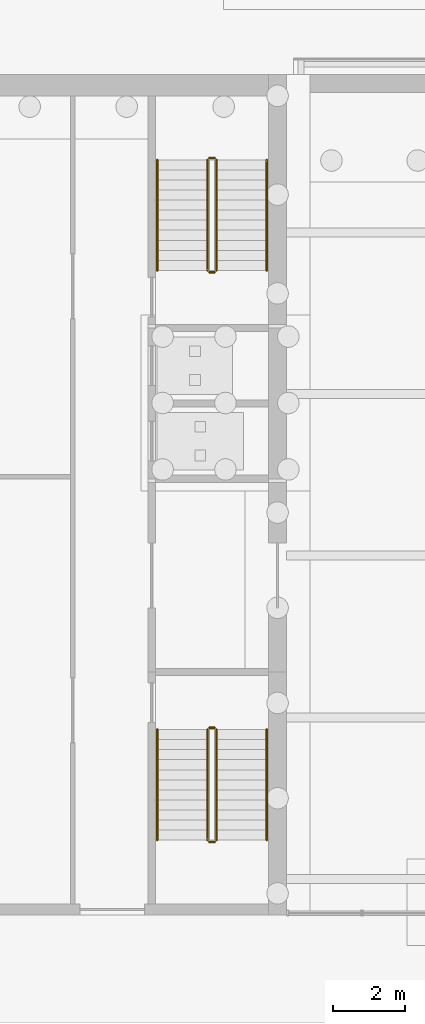
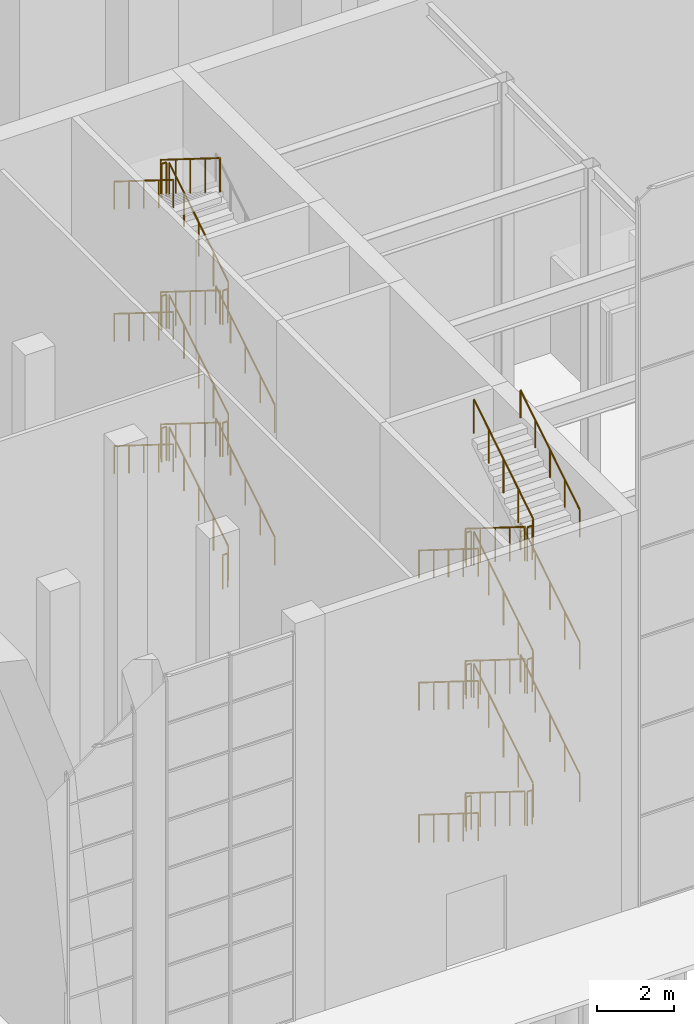
# One storey, part 52 of 58: 35 railings.
"""IFC4 building model written with IfcOpenShell, lengths in metres."""

from ifc_helpers import new_model, si_unit, direction, frame, origin, origin_2d, place, context, subcontext, project, spatial, circle, extrude, material, type_object, element, save


model = new_model("IFC4")

# Units and contexts
model_context = context("Model", 3, precision=1e-05, world=origin(), true_north=direction((0.0, 1.0)))
body_context = subcontext(model_context, "Body", "Model", "MODEL_VIEW")
ifc_project = project(units=[si_unit("LENGTHUNIT", "METRE"), si_unit("AREAUNIT", "SQUARE_METRE"), si_unit("VOLUMEUNIT", "CUBIC_METRE"), si_unit("PLANEANGLEUNIT", "RADIAN"), si_unit("MASSUNIT", "GRAM", prefix="KILO")], contexts=[model_context])

# Site, building, storey
site_placement = place(None, origin())
site = spatial("IfcSite", under=ifc_project, at=site_placement, CompositionType="ELEMENT")
building_placement = place(site_placement, origin())
building = spatial("IfcBuilding", under=site, at=building_placement, Name="Baori Bourse Tower", CompositionType="ELEMENT")
storey_placement = place(building_placement, origin())
storey = spatial("IfcBuildingStorey", under=building, at=storey_placement, Name="L00", CompositionType="ELEMENT", Elevation=0.0)

# Railings
ifc_material_1 = material(Name="Stainless steel AISI 316", Category="steel")
railing_type_1 = type_object("IfcRailingType", Name="Wing guard 1100", PredefinedType="GUARDRAIL", material=ifc_material_1)
railing_1_placement = place(storey_placement, frame((-1.699951171875, -7.260009765625, 0.175048828125)))
element("IfcRailing", 1, at=railing_1_placement, inside=storey, type_object=railing_type_1, Name="L00 W-STA stair guard 1", PredefinedType="GUARDRAIL", context=body_context, shape_type="SweptSolid", body=[
    extrude(circle(Radius=0.02392578125, at=origin_2d()), frame((0.0, 0.0, 1.076171875), z_axis=(0.0, 0.847998304005, 0.529998940003), x_axis=(-1.0, 0.0, 0.0)), (0.0, 0.0, 1.0), 3.632080078125),
    extrude(circle(Radius=0.02099609375, at=origin_2d()), origin(), (0.0, 0.0, 1.0), 1.052001953125),
    extrude(circle(Radius=0.02099609375, at=origin_2d()), frame((0.0, 0.77001953125, 0.481201171875)), (0.0, 0.0, 1.0), 1.052001953125),
    extrude(circle(Radius=0.02099609375, at=origin_2d()), frame((0.0, 1.5400390625, 0.96240234375)), (0.0, 0.0, 1.0), 1.052001953125),
    extrude(circle(Radius=0.02099609375, at=origin_2d()), frame((0.0, 2.31005859375, 1.44384765625)), (0.0, 0.0, 1.0), 1.052001953125),
    extrude(circle(Radius=0.02099609375, at=origin_2d()), frame((0.0, 3.080078125, 1.925048828125)), (0.0, 0.0, 1.0), 1.052001953125),
])
railing_2_placement = place(storey_placement, frame((-1.75, -4.1298828125, 2.10009765625)))
element("IfcRailing", 2, at=railing_2_placement, inside=storey, type_object=railing_type_1, Name="L00 W-STA stair guard 2", PredefinedType="GUARDRAIL", context=body_context, shape_type="SweptSolid", body=[
    extrude(circle(Radius=0.02392578125, at=origin_2d()), frame((0.0, 0.0, 1.076171875), z_axis=(-1.0, 0.0, 0.0), x_axis=(0.0, -1.0, 0.0)), (0.0, 0.0, 1.0), 0.14990234375),
    extrude(circle(Radius=0.02099609375, at=origin_2d()), origin(), (0.0, 0.0, 1.0), 1.052001953125),
    extrude(circle(Radius=0.02099609375, at=origin_2d()), frame((-0.14990234375, 0.0, 0.0)), (0.0, 0.0, 1.0), 1.052001953125),
])
railing_3_placement = place(storey_placement, frame((-1.949951171875, -4.179931640625, 2.27490234375)))
element("IfcRailing", 3, at=railing_3_placement, inside=storey, type_object=railing_type_1, Name="L00 W-STA stair guard 3", PredefinedType="GUARDRAIL", context=body_context, shape_type="SweptSolid", body=[
    extrude(circle(Radius=0.02392578125, at=origin_2d()), frame((0.0, 0.0, 1.076171875), z_axis=(0.0, -0.847998304005, 0.529998940003), x_axis=(1.0, 0.0, 0.0)), (0.0, 0.0, 1.0), 3.632080078125),
    extrude(circle(Radius=0.02099609375, at=origin_2d()), origin(), (0.0, 0.0, 1.0), 1.052001953125),
    extrude(circle(Radius=0.02099609375, at=origin_2d()), frame((0.0, -0.77001953125, 0.481201171875)), (0.0, 0.0, 1.0), 1.052001953125),
    extrude(circle(Radius=0.02099609375, at=origin_2d()), frame((0.0, -1.5400390625, 0.96240234375)), (0.0, 0.0, 1.0), 1.052001953125),
    extrude(circle(Radius=0.02099609375, at=origin_2d()), frame((0.0, -2.31005859375, 1.44384765625)), (0.0, 0.0, 1.0), 1.052001953125),
    extrude(circle(Radius=0.02099609375, at=origin_2d()), frame((0.0, -3.080078125, 1.925048828125)), (0.0, 0.0, 1.0), 1.052001953125),
])
railing_4_placement = place(storey_placement, frame((-1.75, -7.31005859375, 4.199951171875)))
element("IfcRailing", 4, at=railing_4_placement, inside=storey, type_object=railing_type_1, Name="L00 W-STA stair guard 4", PredefinedType="GUARDRAIL", context=body_context, shape_type="SweptSolid", body=[
    extrude(circle(Radius=0.02392578125, at=origin_2d()), frame((0.0, 0.0, 1.076171875), z_axis=(-1.0, 0.0, 0.0), x_axis=(0.0, -1.0, 0.0)), (0.0, 0.0, 1.0), 0.14990234375),
    extrude(circle(Radius=0.02099609375, at=origin_2d()), origin(), (0.0, 0.0, 1.0), 1.052001953125),
    extrude(circle(Radius=0.02099609375, at=origin_2d()), frame((-0.14990234375, 0.0, 0.0)), (0.0, 0.0, 1.0), 1.052001953125),
])
railing_5_placement = place(storey_placement, frame((-1.699951171875, -7.260009765625, 4.375)))
element("IfcRailing", 5, at=railing_5_placement, inside=storey, type_object=railing_type_1, Name="L00 W-STA stair guard 5", PredefinedType="GUARDRAIL", context=body_context, shape_type="SweptSolid", body=[
    extrude(circle(Radius=0.02392578125, at=origin_2d()), frame((0.0, 0.0, 1.076171875), z_axis=(0.0, 0.847998304005, 0.529998940003), x_axis=(-1.0, 0.0, 0.0)), (0.0, 0.0, 1.0), 3.632080078125),
    extrude(circle(Radius=0.02099609375, at=origin_2d()), origin(), (0.0, 0.0, 1.0), 1.052001953125),
    extrude(circle(Radius=0.02099609375, at=origin_2d()), frame((0.0, 0.77001953125, 0.481201171875)), (0.0, 0.0, 1.0), 1.052001953125),
    extrude(circle(Radius=0.02099609375, at=origin_2d()), frame((0.0, 1.5400390625, 0.96240234375)), (0.0, 0.0, 1.0), 1.052001953125),
    extrude(circle(Radius=0.02099609375, at=origin_2d()), frame((0.0, 2.31005859375, 1.44384765625)), (0.0, 0.0, 1.0), 1.052001953125),
    extrude(circle(Radius=0.02099609375, at=origin_2d()), frame((0.0, 3.080078125, 1.925048828125)), (0.0, 0.0, 1.0), 1.052001953125),
])
railing_6_placement = place(storey_placement, frame((-1.75, -4.1298828125, 6.300048828125)))
element("IfcRailing", 6, at=railing_6_placement, inside=storey, type_object=railing_type_1, Name="L00 W-STA stair guard 6", PredefinedType="GUARDRAIL", context=body_context, shape_type="SweptSolid", body=[
    extrude(circle(Radius=0.02392578125, at=origin_2d()), frame((0.0, 0.0, 1.076171875), z_axis=(-1.0, 0.0, 0.0), x_axis=(0.0, -1.0, 0.0)), (0.0, 0.0, 1.0), 0.14990234375),
    extrude(circle(Radius=0.02099609375, at=origin_2d()), origin(), (0.0, 0.0, 1.0), 1.052001953125),
    extrude(circle(Radius=0.02099609375, at=origin_2d()), frame((-0.14990234375, 0.0, 0.0)), (0.0, 0.0, 1.0), 1.052001953125),
])
railing_7_placement = place(storey_placement, frame((-1.949951171875, -4.179931640625, 6.47509765625)))
element("IfcRailing", 7, at=railing_7_placement, inside=storey, type_object=railing_type_1, Name="L00 W-STA stair guard 7", PredefinedType="GUARDRAIL", context=body_context, shape_type="SweptSolid", body=[
    extrude(circle(Radius=0.02392578125, at=origin_2d()), frame((0.0, 0.0, 1.076171875), z_axis=(0.0, -0.848028513186, 0.529950602248), x_axis=(1.0, 0.0, 0.0)), (0.0, 0.0, 1.0), 3.632080078125),
    extrude(circle(Radius=0.02099609375, at=origin_2d()), origin(), (0.0, 0.0, 1.0), 1.052001953125),
    extrude(circle(Radius=0.02099609375, at=origin_2d()), frame((0.0, -0.77001953125, 0.481201171875)), (0.0, 0.0, 1.0), 1.052001953125),
    extrude(circle(Radius=0.02099609375, at=origin_2d()), frame((0.0, -1.5400390625, 0.96240234375)), (0.0, 0.0, 1.0), 1.052001953125),
    extrude(circle(Radius=0.02099609375, at=origin_2d()), frame((0.0, -2.31005859375, 1.443603515625)), (0.0, 0.0, 1.0), 1.052001953125),
    extrude(circle(Radius=0.02099609375, at=origin_2d()), frame((0.0, -3.080078125, 1.9248046875)), (0.0, 0.0, 1.0), 1.052001953125),
])
railing_8_placement = place(storey_placement, frame((-1.75, -7.31005859375, 8.39990234375)))
element("IfcRailing", 8, at=railing_8_placement, inside=storey, type_object=railing_type_1, Name="L00 W-STA stair guard 8", PredefinedType="GUARDRAIL", context=body_context, shape_type="SweptSolid", body=[
    extrude(circle(Radius=0.02392578125, at=origin_2d()), frame((0.0, 0.0, 1.076171875), z_axis=(-1.0, 0.0, 0.0), x_axis=(0.0, -1.0, 0.0)), (0.0, 0.0, 1.0), 0.14990234375),
    extrude(circle(Radius=0.02099609375, at=origin_2d()), origin(), (0.0, 0.0, 1.0), 1.052001953125),
    extrude(circle(Radius=0.02099609375, at=origin_2d()), frame((-0.14990234375, 0.0, 0.0)), (0.0, 0.0, 1.0), 1.052001953125),
])
railing_9_placement = place(storey_placement, frame((-1.699951171875, -7.260009765625, 8.574951171875)))
element("IfcRailing", 9, at=railing_9_placement, inside=storey, type_object=railing_type_1, Name="L00 W-STA stair guard 9", PredefinedType="GUARDRAIL", context=body_context, shape_type="SweptSolid", body=[
    extrude(circle(Radius=0.02392578125, at=origin_2d()), frame((0.0, 0.0, 1.076171875), z_axis=(0.0, 0.847998304005, 0.529998940003), x_axis=(-1.0, 0.0, 0.0)), (0.0, 0.0, 1.0), 3.632080078125),
    extrude(circle(Radius=0.02099609375, at=origin_2d()), origin(), (0.0, 0.0, 1.0), 1.052001953125),
    extrude(circle(Radius=0.02099609375, at=origin_2d()), frame((0.0, 0.77001953125, 0.481201171875)), (0.0, 0.0, 1.0), 1.052001953125),
    extrude(circle(Radius=0.02099609375, at=origin_2d()), frame((0.0, 1.5400390625, 0.96240234375)), (0.0, 0.0, 1.0), 1.052001953125),
    extrude(circle(Radius=0.02099609375, at=origin_2d()), frame((0.0, 2.31005859375, 1.44384765625)), (0.0, 0.0, 1.0), 1.052001953125),
    extrude(circle(Radius=0.02099609375, at=origin_2d()), frame((0.0, 3.080078125, 1.925048828125)), (0.0, 0.0, 1.0), 1.052001953125),
])
railing_10_placement = place(storey_placement, frame((-1.75, -4.1298828125, 10.5)))
element("IfcRailing", 10, at=railing_10_placement, inside=storey, type_object=railing_type_1, Name="L00 W-STA stair guard 10", PredefinedType="GUARDRAIL", context=body_context, shape_type="SweptSolid", body=[
    extrude(circle(Radius=0.02392578125, at=origin_2d()), frame((0.0, 0.0, 1.076171875), z_axis=(-1.0, 0.0, 0.0), x_axis=(0.0, -1.0, 0.0)), (0.0, 0.0, 1.0), 0.14990234375),
    extrude(circle(Radius=0.02099609375, at=origin_2d()), origin(), (0.0, 0.0, 1.0), 1.052001953125),
    extrude(circle(Radius=0.02099609375, at=origin_2d()), frame((-0.14990234375, 0.0, 0.0)), (0.0, 0.0, 1.0), 1.052001953125),
])
railing_11_placement = place(storey_placement, frame((-1.949951171875, -4.179931640625, 10.675048828125)))
element("IfcRailing", 11, at=railing_11_placement, inside=storey, type_object=railing_type_1, Name="L00 W-STA stair guard 11", PredefinedType="GUARDRAIL", context=body_context, shape_type="SweptSolid", body=[
    extrude(circle(Radius=0.02392578125, at=origin_2d()), frame((0.0, 0.0, 1.076171875), z_axis=(0.0, -0.847998304005, 0.529998940003), x_axis=(1.0, 0.0, 0.0)), (0.0, 0.0, 1.0), 3.632080078125),
    extrude(circle(Radius=0.02099609375, at=origin_2d()), origin(), (0.0, 0.0, 1.0), 1.052001953125),
    extrude(circle(Radius=0.02099609375, at=origin_2d()), frame((0.0, -0.77001953125, 0.481201171875)), (0.0, 0.0, 1.0), 1.052001953125),
    extrude(circle(Radius=0.02099609375, at=origin_2d()), frame((0.0, -1.5400390625, 0.96240234375)), (0.0, 0.0, 1.0), 1.052001953125),
    extrude(circle(Radius=0.02099609375, at=origin_2d()), frame((0.0, -2.31005859375, 1.44384765625)), (0.0, 0.0, 1.0), 1.052001953125),
    extrude(circle(Radius=0.02099609375, at=origin_2d()), frame((0.0, -3.080078125, 1.925048828125)), (0.0, 0.0, 1.0), 1.052001953125),
])
railing_12_placement = place(storey_placement, frame((-1.75, -7.31005859375, 0.0)))
element("IfcRailing", 12, at=railing_12_placement, inside=storey, type_object=railing_type_1, Name="L00 W-STA stair guard 12", PredefinedType="GUARDRAIL", context=body_context, shape_type="SweptSolid", body=[
    extrude(circle(Radius=0.02392578125, at=origin_2d()), frame((0.0, 0.0, 1.076171875), z_axis=(-1.0, 0.0, 0.0), x_axis=(0.0, -1.0, 0.0)), (0.0, 0.0, 1.0), 0.14990234375),
    extrude(circle(Radius=0.02099609375, at=origin_2d()), origin(), (0.0, 0.0, 1.0), 1.052001953125),
    extrude(circle(Radius=0.02099609375, at=origin_2d()), frame((-0.14990234375, 0.0, 0.0)), (0.0, 0.0, 1.0), 1.052001953125),
])
railing_13_placement = place(storey_placement, frame((-1.949951171875, -20.0400390625, 0.175048828125)))
element("IfcRailing", 13, at=railing_13_placement, inside=storey, type_object=railing_type_1, Name="L00 W-STB stair guard 1", PredefinedType="GUARDRAIL", context=body_context, shape_type="SweptSolid", body=[
    extrude(circle(Radius=0.02392578125, at=origin_2d()), frame((0.0, 0.0, 1.076171875), z_axis=(0.0, -0.847998304005, 0.529998940003), x_axis=(1.0, 0.0, 0.0)), (0.0, 0.0, 1.0), 3.632080078125),
    extrude(circle(Radius=0.02099609375, at=origin_2d()), origin(), (0.0, 0.0, 1.0), 1.052001953125),
    extrude(circle(Radius=0.02099609375, at=origin_2d()), frame((0.0, -0.77001953125, 0.481201171875)), (0.0, 0.0, 1.0), 1.052001953125),
    extrude(circle(Radius=0.02099609375, at=origin_2d()), frame((0.0, -1.5400390625, 0.96240234375)), (0.0, 0.0, 1.0), 1.052001953125),
    extrude(circle(Radius=0.02099609375, at=origin_2d()), frame((0.0, -2.31005859375, 1.44384765625)), (0.0, 0.0, 1.0), 1.052001953125),
    extrude(circle(Radius=0.02099609375, at=origin_2d()), frame((0.0, -3.080078125, 1.925048828125)), (0.0, 0.0, 1.0), 1.052001953125),
])
railing_14_placement = place(storey_placement, frame((-1.89990234375, -23.169921875, 2.10009765625)))
element("IfcRailing", 14, at=railing_14_placement, inside=storey, type_object=railing_type_1, Name="L00 W-STB stair guard 2", PredefinedType="GUARDRAIL", context=body_context, shape_type="SweptSolid", body=[
    extrude(circle(Radius=0.02392578125, at=origin_2d()), frame((0.0, 0.0, 1.076171875), z_axis=(1.0, 0.0, 0.0), x_axis=(0.0, 1.0, 0.0)), (0.0, 0.0, 1.0), 0.14990234375),
    extrude(circle(Radius=0.02099609375, at=origin_2d()), origin(), (0.0, 0.0, 1.0), 1.052001953125),
    extrude(circle(Radius=0.02099609375, at=origin_2d()), frame((0.14990234375, 0.0, 0.0)), (0.0, 0.0, 1.0), 1.052001953125),
])
railing_15_placement = place(storey_placement, frame((-1.699951171875, -23.1201171875, 2.27490234375)))
element("IfcRailing", 15, at=railing_15_placement, inside=storey, type_object=railing_type_1, Name="L00 W-STB stair guard 3", PredefinedType="GUARDRAIL", context=body_context, shape_type="SweptSolid", body=[
    extrude(circle(Radius=0.02392578125, at=origin_2d()), frame((0.0, 0.0, 1.076171875), z_axis=(0.0, 0.847998304005, 0.529998940003), x_axis=(-1.0, 0.0, 0.0)), (0.0, 0.0, 1.0), 3.632080078125),
    extrude(circle(Radius=0.02099609375, at=origin_2d()), origin(), (0.0, 0.0, 1.0), 1.052001953125),
    extrude(circle(Radius=0.02099609375, at=origin_2d()), frame((0.0, 0.77001953125, 0.481201171875)), (0.0, 0.0, 1.0), 1.052001953125),
    extrude(circle(Radius=0.02099609375, at=origin_2d()), frame((0.0, 1.5400390625, 0.96240234375)), (0.0, 0.0, 1.0), 1.052001953125),
    extrude(circle(Radius=0.02099609375, at=origin_2d()), frame((0.0, 2.31005859375, 1.44384765625)), (0.0, 0.0, 1.0), 1.052001953125),
    extrude(circle(Radius=0.02099609375, at=origin_2d()), frame((0.0, 3.080078125, 1.925048828125)), (0.0, 0.0, 1.0), 1.052001953125),
])
railing_16_placement = place(storey_placement, frame((-1.89990234375, -19.989990234375, 4.199951171875)))
element("IfcRailing", 16, at=railing_16_placement, inside=storey, type_object=railing_type_1, Name="L00 W-STB stair guard 4", PredefinedType="GUARDRAIL", context=body_context, shape_type="SweptSolid", body=[
    extrude(circle(Radius=0.02392578125, at=origin_2d()), frame((0.0, 0.0, 1.076171875), z_axis=(1.0, 0.0, 0.0), x_axis=(0.0, 1.0, 0.0)), (0.0, 0.0, 1.0), 0.14990234375),
    extrude(circle(Radius=0.02099609375, at=origin_2d()), origin(), (0.0, 0.0, 1.0), 1.052001953125),
    extrude(circle(Radius=0.02099609375, at=origin_2d()), frame((0.14990234375, 0.0, 0.0)), (0.0, 0.0, 1.0), 1.052001953125),
])
railing_17_placement = place(storey_placement, frame((-1.949951171875, -20.0400390625, 4.375)))
element("IfcRailing", 17, at=railing_17_placement, inside=storey, type_object=railing_type_1, Name="L00 W-STB stair guard 5", PredefinedType="GUARDRAIL", context=body_context, shape_type="SweptSolid", body=[
    extrude(circle(Radius=0.02392578125, at=origin_2d()), frame((0.0, 0.0, 1.076171875), z_axis=(0.0, -0.847998304005, 0.529998940003), x_axis=(1.0, 0.0, 0.0)), (0.0, 0.0, 1.0), 3.632080078125),
    extrude(circle(Radius=0.02099609375, at=origin_2d()), origin(), (0.0, 0.0, 1.0), 1.052001953125),
    extrude(circle(Radius=0.02099609375, at=origin_2d()), frame((0.0, -0.77001953125, 0.481201171875)), (0.0, 0.0, 1.0), 1.052001953125),
    extrude(circle(Radius=0.02099609375, at=origin_2d()), frame((0.0, -1.5400390625, 0.96240234375)), (0.0, 0.0, 1.0), 1.052001953125),
    extrude(circle(Radius=0.02099609375, at=origin_2d()), frame((0.0, -2.31005859375, 1.44384765625)), (0.0, 0.0, 1.0), 1.052001953125),
    extrude(circle(Radius=0.02099609375, at=origin_2d()), frame((0.0, -3.080078125, 1.925048828125)), (0.0, 0.0, 1.0), 1.052001953125),
])
railing_18_placement = place(storey_placement, frame((-1.89990234375, -23.169921875, 6.300048828125)))
element("IfcRailing", 18, at=railing_18_placement, inside=storey, type_object=railing_type_1, Name="L00 W-STB stair guard 6", PredefinedType="GUARDRAIL", context=body_context, shape_type="SweptSolid", body=[
    extrude(circle(Radius=0.02392578125, at=origin_2d()), frame((0.0, 0.0, 1.076171875), z_axis=(1.0, 0.0, 0.0), x_axis=(0.0, 1.0, 0.0)), (0.0, 0.0, 1.0), 0.14990234375),
    extrude(circle(Radius=0.02099609375, at=origin_2d()), origin(), (0.0, 0.0, 1.0), 1.052001953125),
    extrude(circle(Radius=0.02099609375, at=origin_2d()), frame((0.14990234375, 0.0, 0.0)), (0.0, 0.0, 1.0), 1.052001953125),
])
railing_19_placement = place(storey_placement, frame((-1.699951171875, -23.1201171875, 6.47509765625)))
element("IfcRailing", 19, at=railing_19_placement, inside=storey, type_object=railing_type_1, Name="L00 W-STB stair guard 7", PredefinedType="GUARDRAIL", context=body_context, shape_type="SweptSolid", body=[
    extrude(circle(Radius=0.02392578125, at=origin_2d()), frame((0.0, 0.0, 1.076171875), z_axis=(0.0, 0.848028513186, 0.529950602248), x_axis=(-1.0, 0.0, 0.0)), (0.0, 0.0, 1.0), 3.632080078125),
    extrude(circle(Radius=0.02099609375, at=origin_2d()), origin(), (0.0, 0.0, 1.0), 1.052001953125),
    extrude(circle(Radius=0.02099609375, at=origin_2d()), frame((0.0, 0.77001953125, 0.481201171875)), (0.0, 0.0, 1.0), 1.052001953125),
    extrude(circle(Radius=0.02099609375, at=origin_2d()), frame((0.0, 1.5400390625, 0.96240234375)), (0.0, 0.0, 1.0), 1.052001953125),
    extrude(circle(Radius=0.02099609375, at=origin_2d()), frame((0.0, 2.31005859375, 1.443603515625)), (0.0, 0.0, 1.0), 1.052001953125),
    extrude(circle(Radius=0.02099609375, at=origin_2d()), frame((0.0, 3.080078125, 1.9248046875)), (0.0, 0.0, 1.0), 1.052001953125),
])
railing_20_placement = place(storey_placement, frame((-1.89990234375, -19.989990234375, 8.39990234375)))
element("IfcRailing", 20, at=railing_20_placement, inside=storey, type_object=railing_type_1, Name="L00 W-STB stair guard 8", PredefinedType="GUARDRAIL", context=body_context, shape_type="SweptSolid", body=[
    extrude(circle(Radius=0.02392578125, at=origin_2d()), frame((0.0, 0.0, 1.076171875), z_axis=(1.0, 0.0, 0.0), x_axis=(0.0, 1.0, 0.0)), (0.0, 0.0, 1.0), 0.14990234375),
    extrude(circle(Radius=0.02099609375, at=origin_2d()), origin(), (0.0, 0.0, 1.0), 1.052001953125),
    extrude(circle(Radius=0.02099609375, at=origin_2d()), frame((0.14990234375, 0.0, 0.0)), (0.0, 0.0, 1.0), 1.052001953125),
])
railing_21_placement = place(storey_placement, frame((-1.949951171875, -20.0400390625, 8.574951171875)))
element("IfcRailing", 21, at=railing_21_placement, inside=storey, type_object=railing_type_1, Name="L00 W-STB stair guard 9", PredefinedType="GUARDRAIL", context=body_context, shape_type="SweptSolid", body=[
    extrude(circle(Radius=0.02392578125, at=origin_2d()), frame((0.0, 0.0, 1.076171875), z_axis=(0.0, -0.847998304005, 0.529998940003), x_axis=(1.0, 0.0, 0.0)), (0.0, 0.0, 1.0), 3.632080078125),
    extrude(circle(Radius=0.02099609375, at=origin_2d()), origin(), (0.0, 0.0, 1.0), 1.052001953125),
    extrude(circle(Radius=0.02099609375, at=origin_2d()), frame((0.0, -0.77001953125, 0.481201171875)), (0.0, 0.0, 1.0), 1.052001953125),
    extrude(circle(Radius=0.02099609375, at=origin_2d()), frame((0.0, -1.5400390625, 0.96240234375)), (0.0, 0.0, 1.0), 1.052001953125),
    extrude(circle(Radius=0.02099609375, at=origin_2d()), frame((0.0, -2.31005859375, 1.44384765625)), (0.0, 0.0, 1.0), 1.052001953125),
    extrude(circle(Radius=0.02099609375, at=origin_2d()), frame((0.0, -3.080078125, 1.925048828125)), (0.0, 0.0, 1.0), 1.052001953125),
])
railing_22_placement = place(storey_placement, frame((-1.89990234375, -23.169921875, 10.5)))
element("IfcRailing", 22, at=railing_22_placement, inside=storey, type_object=railing_type_1, Name="L00 W-STB stair guard 10", PredefinedType="GUARDRAIL", context=body_context, shape_type="SweptSolid", body=[
    extrude(circle(Radius=0.02392578125, at=origin_2d()), frame((0.0, 0.0, 1.076171875), z_axis=(1.0, 0.0, 0.0), x_axis=(0.0, 1.0, 0.0)), (0.0, 0.0, 1.0), 0.14990234375),
    extrude(circle(Radius=0.02099609375, at=origin_2d()), origin(), (0.0, 0.0, 1.0), 1.052001953125),
    extrude(circle(Radius=0.02099609375, at=origin_2d()), frame((0.14990234375, 0.0, 0.0)), (0.0, 0.0, 1.0), 1.052001953125),
])
railing_23_placement = place(storey_placement, frame((-1.699951171875, -23.1201171875, 10.675048828125)))
element("IfcRailing", 23, at=railing_23_placement, inside=storey, type_object=railing_type_1, Name="L00 W-STB stair guard 11", PredefinedType="GUARDRAIL", context=body_context, shape_type="SweptSolid", body=[
    extrude(circle(Radius=0.02392578125, at=origin_2d()), frame((0.0, 0.0, 1.076171875), z_axis=(0.0, 0.847998304005, 0.529998940003), x_axis=(-1.0, 0.0, 0.0)), (0.0, 0.0, 1.0), 3.632080078125),
    extrude(circle(Radius=0.02099609375, at=origin_2d()), origin(), (0.0, 0.0, 1.0), 1.052001953125),
    extrude(circle(Radius=0.02099609375, at=origin_2d()), frame((0.0, 0.77001953125, 0.481201171875)), (0.0, 0.0, 1.0), 1.052001953125),
    extrude(circle(Radius=0.02099609375, at=origin_2d()), frame((0.0, 1.5400390625, 0.96240234375)), (0.0, 0.0, 1.0), 1.052001953125),
    extrude(circle(Radius=0.02099609375, at=origin_2d()), frame((0.0, 2.31005859375, 1.44384765625)), (0.0, 0.0, 1.0), 1.052001953125),
    extrude(circle(Radius=0.02099609375, at=origin_2d()), frame((0.0, 3.080078125, 1.925048828125)), (0.0, 0.0, 1.0), 1.052001953125),
])
railing_24_placement = place(storey_placement, frame((-1.89990234375, -19.989990234375, 0.0)))
element("IfcRailing", 24, at=railing_24_placement, inside=storey, type_object=railing_type_1, Name="L00 W-STB stair guard 12", PredefinedType="GUARDRAIL", context=body_context, shape_type="SweptSolid", body=[
    extrude(circle(Radius=0.02392578125, at=origin_2d()), frame((0.0, 0.0, 1.076171875), z_axis=(1.0, 0.0, 0.0), x_axis=(0.0, 1.0, 0.0)), (0.0, 0.0, 1.0), 0.14990234375),
    extrude(circle(Radius=0.02099609375, at=origin_2d()), origin(), (0.0, 0.0, 1.0), 1.052001953125),
    extrude(circle(Radius=0.02099609375, at=origin_2d()), frame((0.14990234375, 0.0, 0.0)), (0.0, 0.0, 1.0), 1.052001953125),
])
ifc_material_2 = material(Name="Stainless steel AISI 316", Category="steel")
railing_type_2 = type_object("IfcRailingType", Name="Wing handrail 900", PredefinedType="HANDRAIL", material=ifc_material_2)
railing_25_placement = place(storey_placement, frame((-0.300048828125, -7.260009765625, 0.175048828125)))
element("IfcRailing", 25, at=railing_25_placement, inside=storey, type_object=railing_type_2, Name="L00 W-STA stair handrail 1", PredefinedType="HANDRAIL", context=body_context, shape_type="SweptSolid", body=[
    extrude(circle(Radius=0.02392578125, at=origin_2d()), frame((0.0, 0.0, 0.8759765625), z_axis=(0.0, 0.847998304005, 0.529998940003), x_axis=(-1.0, 0.0, 0.0)), (0.0, 0.0, 1.0), 3.632080078125),
    extrude(circle(Radius=0.02099609375, at=origin_2d()), origin(), (0.0, 0.0, 1.0), 0.851806640625),
    extrude(circle(Radius=0.02099609375, at=origin_2d()), frame((0.0, 0.77001953125, 0.481201171875)), (0.0, 0.0, 1.0), 0.851806640625),
    extrude(circle(Radius=0.02099609375, at=origin_2d()), frame((0.0, 1.5400390625, 0.96240234375)), (0.0, 0.0, 1.0), 0.851806640625),
    extrude(circle(Radius=0.02099609375, at=origin_2d()), frame((0.0, 2.31005859375, 1.44384765625)), (0.0, 0.0, 1.0), 0.851806640625),
    extrude(circle(Radius=0.02099609375, at=origin_2d()), frame((0.0, 3.080078125, 1.925048828125)), (0.0, 0.0, 1.0), 0.851806640625),
])
railing_26_placement = place(storey_placement, frame((-3.35009765625, -4.179931640625, 2.27490234375)))
element("IfcRailing", 26, at=railing_26_placement, inside=storey, type_object=railing_type_2, Name="L00 W-STA stair handrail 2", PredefinedType="HANDRAIL", context=body_context, shape_type="SweptSolid", body=[
    extrude(circle(Radius=0.02392578125, at=origin_2d()), frame((0.0, 0.0, 0.8759765625), z_axis=(0.0, -0.847998304005, 0.529998940003), x_axis=(1.0, 0.0, 0.0)), (0.0, 0.0, 1.0), 3.632080078125),
    extrude(circle(Radius=0.02099609375, at=origin_2d()), origin(), (0.0, 0.0, 1.0), 0.851806640625),
    extrude(circle(Radius=0.02099609375, at=origin_2d()), frame((0.0, -0.77001953125, 0.481201171875)), (0.0, 0.0, 1.0), 0.851806640625),
    extrude(circle(Radius=0.02099609375, at=origin_2d()), frame((0.0, -1.5400390625, 0.96240234375)), (0.0, 0.0, 1.0), 0.851806640625),
    extrude(circle(Radius=0.02099609375, at=origin_2d()), frame((0.0, -2.31005859375, 1.44384765625)), (0.0, 0.0, 1.0), 0.851806640625),
    extrude(circle(Radius=0.02099609375, at=origin_2d()), frame((0.0, -3.080078125, 1.925048828125)), (0.0, 0.0, 1.0), 0.851806640625),
])
railing_27_placement = place(storey_placement, frame((-0.300048828125, -7.260009765625, 4.375)))
element("IfcRailing", 27, at=railing_27_placement, inside=storey, type_object=railing_type_2, Name="L00 W-STA stair handrail 3", PredefinedType="HANDRAIL", context=body_context, shape_type="SweptSolid", body=[
    extrude(circle(Radius=0.02392578125, at=origin_2d()), frame((0.0, 0.0, 0.8759765625), z_axis=(0.0, 0.847998304005, 0.529998940003), x_axis=(-1.0, 0.0, 0.0)), (0.0, 0.0, 1.0), 3.632080078125),
    extrude(circle(Radius=0.02099609375, at=origin_2d()), origin(), (0.0, 0.0, 1.0), 0.851806640625),
    extrude(circle(Radius=0.02099609375, at=origin_2d()), frame((0.0, 0.77001953125, 0.481201171875)), (0.0, 0.0, 1.0), 0.851806640625),
    extrude(circle(Radius=0.02099609375, at=origin_2d()), frame((0.0, 1.5400390625, 0.96240234375)), (0.0, 0.0, 1.0), 0.851806640625),
    extrude(circle(Radius=0.02099609375, at=origin_2d()), frame((0.0, 2.31005859375, 1.44384765625)), (0.0, 0.0, 1.0), 0.851806640625),
    extrude(circle(Radius=0.02099609375, at=origin_2d()), frame((0.0, 3.080078125, 1.925048828125)), (0.0, 0.0, 1.0), 0.851806640625),
])
railing_28_placement = place(storey_placement, frame((-3.35009765625, -4.179931640625, 6.47509765625)))
element("IfcRailing", 28, at=railing_28_placement, inside=storey, type_object=railing_type_2, Name="L00 W-STA stair handrail 4", PredefinedType="HANDRAIL", context=body_context, shape_type="SweptSolid", body=[
    extrude(circle(Radius=0.02392578125, at=origin_2d()), frame((0.0, 0.0, 0.8759765625), z_axis=(0.0, -0.848028513186, 0.529950602248), x_axis=(1.0, 0.0, 0.0)), (0.0, 0.0, 1.0), 3.632080078125),
    extrude(circle(Radius=0.02099609375, at=origin_2d()), origin(), (0.0, 0.0, 1.0), 0.851806640625),
    extrude(circle(Radius=0.02099609375, at=origin_2d()), frame((0.0, -0.77001953125, 0.481201171875)), (0.0, 0.0, 1.0), 0.851806640625),
    extrude(circle(Radius=0.02099609375, at=origin_2d()), frame((0.0, -1.5400390625, 0.96240234375)), (0.0, 0.0, 1.0), 0.851806640625),
    extrude(circle(Radius=0.02099609375, at=origin_2d()), frame((0.0, -2.31005859375, 1.443603515625)), (0.0, 0.0, 1.0), 0.851806640625),
    extrude(circle(Radius=0.02099609375, at=origin_2d()), frame((0.0, -3.080078125, 1.9248046875)), (0.0, 0.0, 1.0), 0.851806640625),
])
for number, where, name in (
    (29, (-3.35009765625, -4.179931640625, 10.675048828125), "L00 W-STA stair handrail 6"),
    (30, (-3.35009765625, -20.0400390625, 0.175048828125), "L00 W-STB stair handrail 1"),
):
    element("IfcRailing", number, at=place(storey_placement, frame(where)), inside=storey, type_object=railing_type_2, Name=name, PredefinedType="HANDRAIL", context=body_context, shape_type="SweptSolid", body=[
        extrude(circle(Radius=0.02392578125, at=origin_2d()), frame((0.0, 0.0, 0.8759765625), z_axis=(0.0, -0.847998304005, 0.529998940003), x_axis=(1.0, 0.0, 0.0)), (0.0, 0.0, 1.0), 3.632080078125),
        extrude(circle(Radius=0.02099609375, at=origin_2d()), origin(), (0.0, 0.0, 1.0), 0.851806640625),
        extrude(circle(Radius=0.02099609375, at=origin_2d()), frame((0.0, -0.77001953125, 0.481201171875)), (0.0, 0.0, 1.0), 0.851806640625),
        extrude(circle(Radius=0.02099609375, at=origin_2d()), frame((0.0, -1.5400390625, 0.96240234375)), (0.0, 0.0, 1.0), 0.851806640625),
        extrude(circle(Radius=0.02099609375, at=origin_2d()), frame((0.0, -2.31005859375, 1.44384765625)), (0.0, 0.0, 1.0), 0.851806640625),
        extrude(circle(Radius=0.02099609375, at=origin_2d()), frame((0.0, -3.080078125, 1.925048828125)), (0.0, 0.0, 1.0), 0.851806640625),
    ])
railing_29_placement = place(storey_placement, frame((-0.300048828125, -23.1201171875, 2.27490234375)))
element("IfcRailing", 31, at=railing_29_placement, inside=storey, type_object=railing_type_2, Name="L00 W-STB stair handrail 2", PredefinedType="HANDRAIL", context=body_context, shape_type="SweptSolid", body=[
    extrude(circle(Radius=0.02392578125, at=origin_2d()), frame((0.0, 0.0, 0.8759765625), z_axis=(0.0, 0.847998304005, 0.529998940003), x_axis=(-1.0, 0.0, 0.0)), (0.0, 0.0, 1.0), 3.632080078125),
    extrude(circle(Radius=0.02099609375, at=origin_2d()), origin(), (0.0, 0.0, 1.0), 0.851806640625),
    extrude(circle(Radius=0.02099609375, at=origin_2d()), frame((0.0, 0.77001953125, 0.481201171875)), (0.0, 0.0, 1.0), 0.851806640625),
    extrude(circle(Radius=0.02099609375, at=origin_2d()), frame((0.0, 1.5400390625, 0.96240234375)), (0.0, 0.0, 1.0), 0.851806640625),
    extrude(circle(Radius=0.02099609375, at=origin_2d()), frame((0.0, 2.31005859375, 1.44384765625)), (0.0, 0.0, 1.0), 0.851806640625),
    extrude(circle(Radius=0.02099609375, at=origin_2d()), frame((0.0, 3.080078125, 1.925048828125)), (0.0, 0.0, 1.0), 0.851806640625),
])
railing_30_placement = place(storey_placement, frame((-3.35009765625, -20.0400390625, 4.375)))
element("IfcRailing", 32, at=railing_30_placement, inside=storey, type_object=railing_type_2, Name="L00 W-STB stair handrail 3", PredefinedType="HANDRAIL", context=body_context, shape_type="SweptSolid", body=[
    extrude(circle(Radius=0.02392578125, at=origin_2d()), frame((0.0, 0.0, 0.8759765625), z_axis=(0.0, -0.847998304005, 0.529998940003), x_axis=(1.0, 0.0, 0.0)), (0.0, 0.0, 1.0), 3.632080078125),
    extrude(circle(Radius=0.02099609375, at=origin_2d()), origin(), (0.0, 0.0, 1.0), 0.851806640625),
    extrude(circle(Radius=0.02099609375, at=origin_2d()), frame((0.0, -0.77001953125, 0.481201171875)), (0.0, 0.0, 1.0), 0.851806640625),
    extrude(circle(Radius=0.02099609375, at=origin_2d()), frame((0.0, -1.5400390625, 0.96240234375)), (0.0, 0.0, 1.0), 0.851806640625),
    extrude(circle(Radius=0.02099609375, at=origin_2d()), frame((0.0, -2.31005859375, 1.44384765625)), (0.0, 0.0, 1.0), 0.851806640625),
    extrude(circle(Radius=0.02099609375, at=origin_2d()), frame((0.0, -3.080078125, 1.925048828125)), (0.0, 0.0, 1.0), 0.851806640625),
])
railing_31_placement = place(storey_placement, frame((-0.300048828125, -23.1201171875, 6.47509765625)))
element("IfcRailing", 33, at=railing_31_placement, inside=storey, type_object=railing_type_2, Name="L00 W-STB stair handrail 4", PredefinedType="HANDRAIL", context=body_context, shape_type="SweptSolid", body=[
    extrude(circle(Radius=0.02392578125, at=origin_2d()), frame((0.0, 0.0, 0.8759765625), z_axis=(0.0, 0.848028513186, 0.529950602248), x_axis=(-1.0, 0.0, 0.0)), (0.0, 0.0, 1.0), 3.632080078125),
    extrude(circle(Radius=0.02099609375, at=origin_2d()), origin(), (0.0, 0.0, 1.0), 0.851806640625),
    extrude(circle(Radius=0.02099609375, at=origin_2d()), frame((0.0, 0.77001953125, 0.481201171875)), (0.0, 0.0, 1.0), 0.851806640625),
    extrude(circle(Radius=0.02099609375, at=origin_2d()), frame((0.0, 1.5400390625, 0.96240234375)), (0.0, 0.0, 1.0), 0.851806640625),
    extrude(circle(Radius=0.02099609375, at=origin_2d()), frame((0.0, 2.31005859375, 1.443603515625)), (0.0, 0.0, 1.0), 0.851806640625),
    extrude(circle(Radius=0.02099609375, at=origin_2d()), frame((0.0, 3.080078125, 1.9248046875)), (0.0, 0.0, 1.0), 0.851806640625),
])
railing_32_placement = place(storey_placement, frame((-3.35009765625, -20.0400390625, 8.574951171875)))
element("IfcRailing", 34, at=railing_32_placement, inside=storey, type_object=railing_type_2, Name="L00 W-STB stair handrail 5", PredefinedType="HANDRAIL", context=body_context, shape_type="SweptSolid", body=[
    extrude(circle(Radius=0.02392578125, at=origin_2d()), frame((0.0, 0.0, 0.8759765625), z_axis=(0.0, -0.847998304005, 0.529998940003), x_axis=(1.0, 0.0, 0.0)), (0.0, 0.0, 1.0), 3.632080078125),
    extrude(circle(Radius=0.02099609375, at=origin_2d()), origin(), (0.0, 0.0, 1.0), 0.851806640625),
    extrude(circle(Radius=0.02099609375, at=origin_2d()), frame((0.0, -0.77001953125, 0.481201171875)), (0.0, 0.0, 1.0), 0.851806640625),
    extrude(circle(Radius=0.02099609375, at=origin_2d()), frame((0.0, -1.5400390625, 0.96240234375)), (0.0, 0.0, 1.0), 0.851806640625),
    extrude(circle(Radius=0.02099609375, at=origin_2d()), frame((0.0, -2.31005859375, 1.44384765625)), (0.0, 0.0, 1.0), 0.851806640625),
    extrude(circle(Radius=0.02099609375, at=origin_2d()), frame((0.0, -3.080078125, 1.925048828125)), (0.0, 0.0, 1.0), 0.851806640625),
])
railing_33_placement = place(storey_placement, frame((-0.300048828125, -23.1201171875, 10.675048828125)))
element("IfcRailing", 35, at=railing_33_placement, inside=storey, type_object=railing_type_2, Name="L00 W-STB stair handrail 6", PredefinedType="HANDRAIL", context=body_context, shape_type="SweptSolid", body=[
    extrude(circle(Radius=0.02392578125, at=origin_2d()), frame((0.0, 0.0, 0.8759765625), z_axis=(0.0, 0.847998304005, 0.529998940003), x_axis=(-1.0, 0.0, 0.0)), (0.0, 0.0, 1.0), 3.632080078125),
    extrude(circle(Radius=0.02099609375, at=origin_2d()), origin(), (0.0, 0.0, 1.0), 0.851806640625),
    extrude(circle(Radius=0.02099609375, at=origin_2d()), frame((0.0, 0.77001953125, 0.481201171875)), (0.0, 0.0, 1.0), 0.851806640625),
    extrude(circle(Radius=0.02099609375, at=origin_2d()), frame((0.0, 1.5400390625, 0.96240234375)), (0.0, 0.0, 1.0), 0.851806640625),
    extrude(circle(Radius=0.02099609375, at=origin_2d()), frame((0.0, 2.31005859375, 1.44384765625)), (0.0, 0.0, 1.0), 0.851806640625),
    extrude(circle(Radius=0.02099609375, at=origin_2d()), frame((0.0, 3.080078125, 1.925048828125)), (0.0, 0.0, 1.0), 0.851806640625),
])

save(model, "model.ifc")
